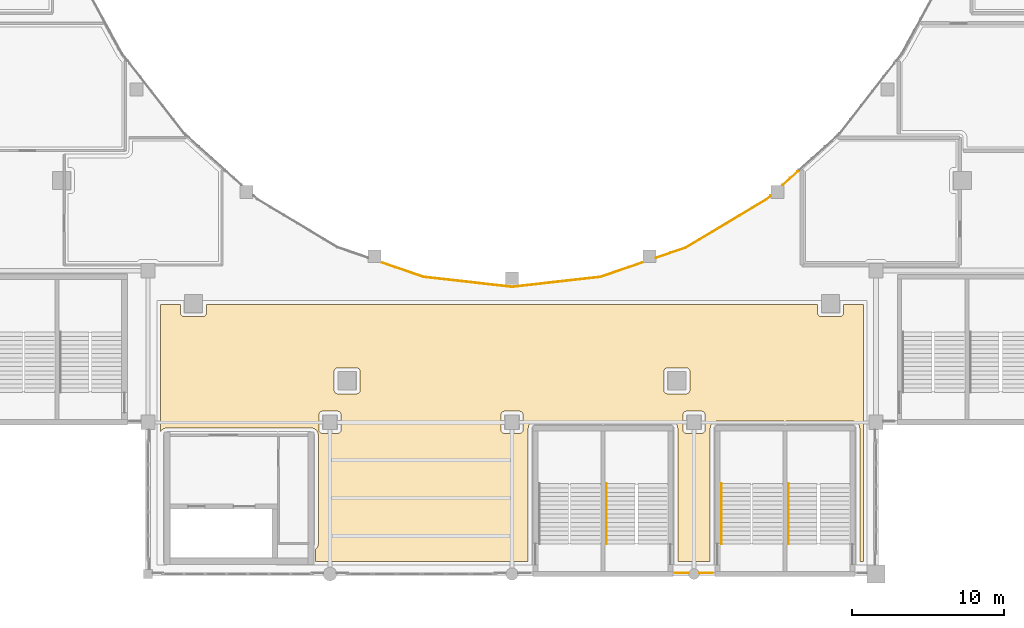
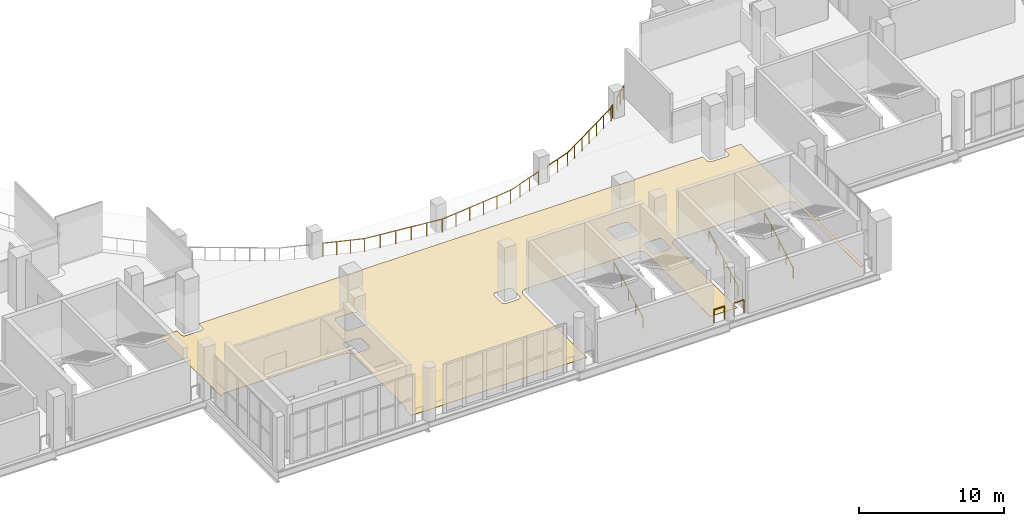
# One storey, part 80 of 90: 8 railings, 1 covering.
"""IFC4 building model written with IfcOpenShell, lengths in metres."""

from ifc_helpers import new_model, si_unit, direction, frame, origin, origin_2d, place, context, subcontext, project, spatial, polyline, circle, outline, extrude, material, layer, layer_set, type_object, element, save


model = new_model("IFC4")

# Units and contexts
model_context = context("Model", 3, precision=1e-05, world=origin(), true_north=direction((0.0, 1.0)))
body_context = subcontext(model_context, "Body", "Model", "MODEL_VIEW")
ifc_project = project(units=[si_unit("LENGTHUNIT", "METRE"), si_unit("AREAUNIT", "SQUARE_METRE"), si_unit("VOLUMEUNIT", "CUBIC_METRE"), si_unit("PLANEANGLEUNIT", "RADIAN"), si_unit("MASSUNIT", "GRAM", prefix="KILO")], contexts=[model_context])

# Site, building, storey
site_placement = place(None, origin())
site = spatial("IfcSite", under=ifc_project, at=site_placement, CompositionType="ELEMENT")
building_placement = place(site_placement, origin())
building = spatial("IfcBuilding", under=site, at=building_placement, Name="Brinegate Civic Arena", CompositionType="ELEMENT")
storey_placement = place(building_placement, frame((0.0, 0.0, 14.699951171875)))
storey = spatial("IfcBuildingStorey", under=building, at=storey_placement, Name="L03", CompositionType="ELEMENT", Elevation=14.699951171875)

# Covering
ifc_material_1 = material(Name="Polished coral terrazzo flooring")
ifc_layer = layer(ifc_material_1, 0.013916015625, Name="Polished coral terrazzo flooring")
ifc_layer_set = layer_set([ifc_layer], Name="Polished coral terrazzo flooring")
covering_type = type_object("IfcCoveringType", Name="FLOORING-ACOUSTIC-14", PredefinedType="FLOORING", material=ifc_layer_set)
covering_placement = place(storey_placement, origin())
element("IfcCovering", 1, at=covering_placement, inside=storey, type_object=covering_type, Name="Flooring L03-001", PredefinedType="FLOORING", context=body_context, shape_type="SweptSolid", body=[
    extrude(outline(polyline([(84.830078125, 17.77001953125), (86.139892578125, 17.77001953125), (86.139892578125, 17.222900390625), (86.14111328125, 17.197998046875), (86.14501953125, 17.174072265625), (86.15087890625, 17.14990234375), (86.158935546875, 17.126953125), (86.169921875, 17.10498046875), (86.181884765625, 17.083984375), (86.197021484375, 17.06396484375), (86.212890625, 17.0458984375), (86.23095703125, 17.030029296875), (86.2509765625, 17.014892578125), (86.27197265625, 17.0029296875), (86.2939453125, 16.991943359375), (86.31689453125, 16.98388671875), (86.341064453125, 16.97802734375), (86.364990234375, 16.97412109375), (86.389892578125, 16.972900390625), (87.610107421875, 16.972900390625), (87.635009765625, 16.97412109375), (87.658935546875, 16.97802734375), (87.68310546875, 16.98388671875), (87.7060546875, 16.991943359375), (87.72802734375, 17.0029296875), (87.7490234375, 17.014892578125), (87.76904296875, 17.030029296875), (87.787109375, 17.0458984375), (87.802978515625, 17.06396484375), (87.818115234375, 17.083984375), (87.830078125, 17.10498046875), (87.841064453125, 17.126953125), (87.84912109375, 17.14990234375), (87.85498046875, 17.174072265625), (87.85888671875, 17.197998046875), (87.860107421875, 17.222900390625), (87.860107421875, 17.77001953125), (128.139892578125, 17.77001953125), (128.139892578125, 17.222900390625), (128.14111328125, 17.197998046875), (128.14501953125, 17.174072265625), (128.15087890625, 17.14990234375), (128.158935546875, 17.126953125), (128.169921875, 17.10498046875), (128.181884765625, 17.083984375), (128.197021484375, 17.06396484375), (128.212890625, 17.0458984375), (128.23095703125, 17.030029296875), (128.2509765625, 17.014892578125), (128.27197265625, 17.0029296875), (128.2939453125, 16.991943359375), (128.31689453125, 16.98388671875), (128.341064453125, 16.97802734375), (128.364990234375, 16.97412109375), (128.389892578125, 16.972900390625), (129.610107421875, 16.972900390625), (129.635009765625, 16.97412109375), (129.658935546875, 16.97802734375), (129.68310546875, 16.98388671875), (129.7060546875, 16.991943359375), (129.72802734375, 17.0029296875), (129.7490234375, 17.014892578125), (129.76904296875, 17.030029296875), (129.787109375, 17.0458984375), (129.802978515625, 17.06396484375), (129.818115234375, 17.083984375), (129.830078125, 17.10498046875), (129.841064453125, 17.126953125), (129.84912109375, 17.14990234375), (129.85498046875, 17.174072265625), (129.85888671875, 17.197998046875), (129.860107421875, 17.222900390625), (129.860107421875, 17.77001953125), (131.169921875, 17.77001953125), (131.169921875, 0.830078125), (130.929931640625, 0.830078125), (130.929931640625, 9.59912109375), (130.928955078125, 9.6240234375), (130.924072265625, 9.669921875), (130.9208984375, 9.694091796875), (130.9150390625, 9.716064453125), (130.902099609375, 9.760009765625), (130.89404296875, 9.782958984375), (130.883056640625, 9.805908203125), (130.862060546875, 9.845947265625), (130.84912109375, 9.865966796875), (130.8349609375, 9.885986328125), (130.806884765625, 9.9208984375), (130.7900390625, 9.93994140625), (130.77099609375, 9.95703125), (130.736083984375, 9.985107421875), (130.716064453125, 9.9990234375), (130.696044921875, 10.011962890625), (130.656005859375, 10.032958984375), (130.633056640625, 10.0439453125), (130.610107421875, 10.052001953125), (130.56591796875, 10.06494140625), (130.5439453125, 10.071044921875), (130.52001953125, 10.073974609375), (130.47412109375, 10.0791015625), (130.448974609375, 10.080078125), (126.14599609375, 10.080078125), (126.12109375, 10.0791015625), (126.073974609375, 10.073974609375), (126.0390625, 10.068115234375), (126.01806640625, 10.06298828125), (126.0, 10.056884765625), (125.98193359375, 10.06298828125), (125.9609375, 10.068115234375), (125.926025390625, 10.073974609375), (125.87890625, 10.0791015625), (125.85400390625, 10.080078125), (121.551025390625, 10.080078125), (121.52587890625, 10.0791015625), (121.47998046875, 10.073974609375), (121.4560546875, 10.071044921875), (121.43408203125, 10.06494140625), (121.389892578125, 10.052001953125), (121.366943359375, 10.0439453125), (121.343994140625, 10.032958984375), (121.303955078125, 10.011962890625), (121.283935546875, 9.9990234375), (121.263916015625, 9.985107421875), (121.22900390625, 9.95703125), (121.2099609375, 9.93994140625), (121.193115234375, 9.9208984375), (121.1650390625, 9.885986328125), (121.15087890625, 9.865966796875), (121.137939453125, 9.845947265625), (121.116943359375, 9.805908203125), (121.10595703125, 9.782958984375), (121.097900390625, 9.760009765625), (121.0849609375, 9.716064453125), (121.0791015625, 9.694091796875), (121.075927734375, 9.669921875), (121.071044921875, 9.6240234375), (121.070068359375, 9.59912109375), (121.070068359375, 0.830078125), (118.929931640625, 0.830078125), (118.929931640625, 9.59912109375), (118.928955078125, 9.6240234375), (118.924072265625, 9.669921875), (118.9208984375, 9.694091796875), (118.9150390625, 9.716064453125), (118.902099609375, 9.760009765625), (118.89404296875, 9.782958984375), (118.883056640625, 9.805908203125), (118.862060546875, 9.845947265625), (118.85205078125, 9.863037109375), (118.841064453125, 9.8779296875), (118.827880859375, 9.89599609375), (118.804931640625, 9.923095703125), (118.77294921875, 9.9541015625), (118.75390625, 9.970947265625), (118.73388671875, 9.986083984375), (118.696044921875, 10.010986328125), (118.676025390625, 10.02294921875), (118.656005859375, 10.032958984375), (118.614013671875, 10.050048828125), (118.595947265625, 10.056884765625), (118.576904296875, 10.06298828125), (118.555908203125, 10.068115234375), (118.52099609375, 10.073974609375), (118.47412109375, 10.0791015625), (118.448974609375, 10.080078125), (114.14599609375, 10.080078125), (114.12109375, 10.0791015625), (114.073974609375, 10.073974609375), (114.0390625, 10.068115234375), (114.01806640625, 10.06298828125), (114.0, 10.056884765625), (113.98193359375, 10.06298828125), (113.9609375, 10.068115234375), (113.926025390625, 10.073974609375), (113.87890625, 10.0791015625), (113.85400390625, 10.080078125), (109.551025390625, 10.080078125), (109.52587890625, 10.0791015625), (109.47998046875, 10.073974609375), (109.4560546875, 10.071044921875), (109.43408203125, 10.06494140625), (109.389892578125, 10.052001953125), (109.366943359375, 10.0439453125), (109.343994140625, 10.032958984375), (109.303955078125, 10.011962890625), (109.283935546875, 9.9990234375), (109.263916015625, 9.985107421875), (109.22900390625, 9.95703125), (109.2099609375, 9.93994140625), (109.193115234375, 9.9208984375), (109.1650390625, 9.885986328125), (109.15087890625, 9.865966796875), (109.137939453125, 9.845947265625), (109.116943359375, 9.805908203125), (109.10595703125, 9.782958984375), (109.097900390625, 9.760009765625), (109.0849609375, 9.716064453125), (109.0791015625, 9.694091796875), (109.075927734375, 9.669921875), (109.071044921875, 9.6240234375), (109.070068359375, 9.59912109375), (109.070068359375, 0.830078125), (95.050048828125, 0.830078125), (95.050048828125, 1.6259765625), (95.053955078125, 1.62890625), (95.072998046875, 1.64599609375), (95.10498046875, 1.677001953125), (95.1279296875, 1.7041015625), (95.14111328125, 1.721923828125), (95.152099609375, 1.737060546875), (95.162109375, 1.75390625), (95.18310546875, 1.7939453125), (95.19189453125, 1.81201171875), (95.198974609375, 1.830078125), (95.2060546875, 1.85009765625), (95.214111328125, 1.881103515625), (95.22412109375, 1.926025390625), (95.22705078125, 1.947021484375), (95.22900390625, 1.967041015625), (95.22998046875, 1.989990234375), (95.22998046875, 2.0), (95.22998046875, 9.14892578125), (95.22900390625, 9.174072265625), (95.22412109375, 9.219970703125), (95.220947265625, 9.243896484375), (95.215087890625, 9.26611328125), (95.201904296875, 9.31005859375), (95.194091796875, 9.3330078125), (95.18310546875, 9.35595703125), (95.162109375, 9.39599609375), (95.152099609375, 9.4130859375), (95.14111328125, 9.427978515625), (95.1279296875, 9.446044921875), (95.10498046875, 9.472900390625), (95.072998046875, 9.50390625), (95.053955078125, 9.52099609375), (95.033935546875, 9.535888671875), (94.99609375, 9.56103515625), (94.97607421875, 9.572998046875), (94.9560546875, 9.5830078125), (94.9140625, 9.60009765625), (94.89599609375, 9.60693359375), (94.876953125, 9.613037109375), (94.85595703125, 9.617919921875), (94.821044921875, 9.6240234375), (94.77392578125, 9.62890625), (94.7490234375, 9.6298828125), (92.60107421875, 9.6298828125), (92.575927734375, 9.62890625), (92.550048828125, 9.6259765625), (92.52392578125, 9.62890625), (92.4990234375, 9.6298828125), (85.2509765625, 9.6298828125), (85.22607421875, 9.62890625), (85.178955078125, 9.6240234375), (85.14404296875, 9.617919921875), (85.123046875, 9.613037109375), (85.10400390625, 9.60693359375), (85.0859375, 9.60009765625), (85.0439453125, 9.5830078125), (85.02392578125, 9.572998046875), (85.00390625, 9.56103515625), (84.966064453125, 9.535888671875), (84.946044921875, 9.52099609375), (84.927001953125, 9.50390625), (84.89501953125, 9.472900390625), (84.8720703125, 9.446044921875), (84.85888671875, 9.427978515625), (84.847900390625, 9.4130859375), (84.837890625, 9.39599609375), (84.830078125, 9.3798828125), (84.830078125, 17.77001953125)]), holes=[polyline([(119.514892578125, 10.735107421875), (119.489990234375, 10.73388671875), (119.466064453125, 10.72998046875), (119.44189453125, 10.72412109375), (119.4189453125, 10.716064453125), (119.39697265625, 10.705078125), (119.3759765625, 10.693115234375), (119.35595703125, 10.677978515625), (119.337890625, 10.662109375), (119.322021484375, 10.64404296875), (119.306884765625, 10.6240234375), (119.294921875, 10.60302734375), (119.283935546875, 10.5810546875), (119.27587890625, 10.55810546875), (119.27001953125, 10.533935546875), (119.26611328125, 10.510009765625), (119.264892578125, 10.485107421875), (119.264892578125, 9.514892578125), (119.26611328125, 9.489990234375), (119.27001953125, 9.466064453125), (119.27587890625, 9.44189453125), (119.283935546875, 9.4189453125), (119.294921875, 9.39697265625), (119.306884765625, 9.3759765625), (119.322021484375, 9.35595703125), (119.337890625, 9.337890625), (119.35595703125, 9.322021484375), (119.3759765625, 9.306884765625), (119.39697265625, 9.294921875), (119.4189453125, 9.283935546875), (119.44189453125, 9.27587890625), (119.466064453125, 9.27001953125), (119.489990234375, 9.26611328125), (119.514892578125, 9.264892578125), (120.485107421875, 9.264892578125), (120.510009765625, 9.26611328125), (120.533935546875, 9.27001953125), (120.55810546875, 9.27587890625), (120.5810546875, 9.283935546875), (120.60302734375, 9.294921875), (120.6240234375, 9.306884765625), (120.64404296875, 9.322021484375), (120.662109375, 9.337890625), (120.677978515625, 9.35595703125), (120.693115234375, 9.3759765625), (120.705078125, 9.39697265625), (120.716064453125, 9.4189453125), (120.72412109375, 9.44189453125), (120.72998046875, 9.466064453125), (120.73388671875, 9.489990234375), (120.735107421875, 9.514892578125), (120.735107421875, 10.485107421875), (120.73388671875, 10.510009765625), (120.72998046875, 10.533935546875), (120.72412109375, 10.55810546875), (120.716064453125, 10.5810546875), (120.705078125, 10.60302734375), (120.693115234375, 10.6240234375), (120.677978515625, 10.64404296875), (120.662109375, 10.662109375), (120.64404296875, 10.677978515625), (120.6240234375, 10.693115234375), (120.60302734375, 10.705078125), (120.5810546875, 10.716064453125), (120.55810546875, 10.72412109375), (120.533935546875, 10.72998046875), (120.510009765625, 10.73388671875), (120.485107421875, 10.735107421875), (119.514892578125, 10.735107421875)]), polyline([(119.72998046875, 13.347900390625), (119.72900390625, 13.373046875), (119.72509765625, 13.39697265625), (119.718994140625, 13.4208984375), (119.7109375, 13.444091796875), (119.699951171875, 13.466064453125), (119.68798828125, 13.487060546875), (119.673095703125, 13.507080078125), (119.656982421875, 13.52490234375), (119.638916015625, 13.541015625), (119.618896484375, 13.555908203125), (119.597900390625, 13.568115234375), (119.575927734375, 13.5791015625), (119.552978515625, 13.5869140625), (119.529052734375, 13.593017578125), (119.5048828125, 13.596923828125), (119.47998046875, 13.597900390625), (118.260009765625, 13.597900390625), (118.235107421875, 13.596923828125), (118.2109375, 13.593017578125), (118.18701171875, 13.5869140625), (118.1640625, 13.5791015625), (118.14208984375, 13.568115234375), (118.12109375, 13.555908203125), (118.10107421875, 13.541015625), (118.0830078125, 13.52490234375), (118.06689453125, 13.507080078125), (118.052001953125, 13.487060546875), (118.0400390625, 13.466064453125), (118.029052734375, 13.444091796875), (118.02099609375, 13.4208984375), (118.014892578125, 13.39697265625), (118.010986328125, 13.373046875), (118.010009765625, 13.347900390625), (118.010009765625, 12.1279296875), (118.010986328125, 12.10302734375), (118.014892578125, 12.0791015625), (118.02099609375, 12.054931640625), (118.029052734375, 12.031982421875), (118.0400390625, 12.010009765625), (118.052001953125, 11.989013671875), (118.06689453125, 11.968994140625), (118.0830078125, 11.950927734375), (118.10107421875, 11.93505859375), (118.12109375, 11.919921875), (118.14208984375, 11.907958984375), (118.1640625, 11.89697265625), (118.18701171875, 11.888916015625), (118.2109375, 11.883056640625), (118.235107421875, 11.87890625), (118.260009765625, 11.8779296875), (119.47998046875, 11.8779296875), (119.5048828125, 11.87890625), (119.529052734375, 11.883056640625), (119.552978515625, 11.888916015625), (119.575927734375, 11.89697265625), (119.597900390625, 11.907958984375), (119.618896484375, 11.919921875), (119.638916015625, 11.93505859375), (119.656982421875, 11.950927734375), (119.673095703125, 11.968994140625), (119.68798828125, 11.989013671875), (119.699951171875, 12.010009765625), (119.7109375, 12.031982421875), (119.718994140625, 12.054931640625), (119.72509765625, 12.0791015625), (119.72900390625, 12.10302734375), (119.72998046875, 12.1279296875), (119.72998046875, 13.347900390625)]), polyline([(107.514892578125, 10.735107421875), (107.489990234375, 10.73388671875), (107.466064453125, 10.72998046875), (107.44189453125, 10.72412109375), (107.4189453125, 10.716064453125), (107.39697265625, 10.705078125), (107.3759765625, 10.693115234375), (107.35595703125, 10.677978515625), (107.337890625, 10.662109375), (107.322021484375, 10.64404296875), (107.306884765625, 10.6240234375), (107.294921875, 10.60302734375), (107.283935546875, 10.5810546875), (107.27587890625, 10.55810546875), (107.27001953125, 10.533935546875), (107.26611328125, 10.510009765625), (107.264892578125, 10.485107421875), (107.264892578125, 9.514892578125), (107.26611328125, 9.489990234375), (107.27001953125, 9.466064453125), (107.27587890625, 9.44189453125), (107.283935546875, 9.4189453125), (107.294921875, 9.39697265625), (107.306884765625, 9.3759765625), (107.322021484375, 9.35595703125), (107.337890625, 9.337890625), (107.35595703125, 9.322021484375), (107.3759765625, 9.306884765625), (107.39697265625, 9.294921875), (107.4189453125, 9.283935546875), (107.44189453125, 9.27587890625), (107.466064453125, 9.27001953125), (107.489990234375, 9.26611328125), (107.514892578125, 9.264892578125), (108.485107421875, 9.264892578125), (108.510009765625, 9.26611328125), (108.533935546875, 9.27001953125), (108.55810546875, 9.27587890625), (108.5810546875, 9.283935546875), (108.60302734375, 9.294921875), (108.6240234375, 9.306884765625), (108.64404296875, 9.322021484375), (108.662109375, 9.337890625), (108.677978515625, 9.35595703125), (108.693115234375, 9.3759765625), (108.705078125, 9.39697265625), (108.716064453125, 9.4189453125), (108.72412109375, 9.44189453125), (108.72998046875, 9.466064453125), (108.73388671875, 9.489990234375), (108.735107421875, 9.514892578125), (108.735107421875, 10.485107421875), (108.73388671875, 10.510009765625), (108.72998046875, 10.533935546875), (108.72412109375, 10.55810546875), (108.716064453125, 10.5810546875), (108.705078125, 10.60302734375), (108.693115234375, 10.6240234375), (108.677978515625, 10.64404296875), (108.662109375, 10.662109375), (108.64404296875, 10.677978515625), (108.6240234375, 10.693115234375), (108.60302734375, 10.705078125), (108.5810546875, 10.716064453125), (108.55810546875, 10.72412109375), (108.533935546875, 10.72998046875), (108.510009765625, 10.73388671875), (108.485107421875, 10.735107421875), (107.514892578125, 10.735107421875)]), polyline([(97.989990234375, 13.347900390625), (97.989013671875, 13.373046875), (97.985107421875, 13.39697265625), (97.97900390625, 13.4208984375), (97.970947265625, 13.444091796875), (97.9599609375, 13.466064453125), (97.947998046875, 13.487060546875), (97.93310546875, 13.507080078125), (97.9169921875, 13.52490234375), (97.89892578125, 13.541015625), (97.87890625, 13.555908203125), (97.85791015625, 13.568115234375), (97.8359375, 13.5791015625), (97.81298828125, 13.5869140625), (97.7890625, 13.593017578125), (97.764892578125, 13.596923828125), (97.739990234375, 13.597900390625), (96.52001953125, 13.597900390625), (96.4951171875, 13.596923828125), (96.470947265625, 13.593017578125), (96.447021484375, 13.5869140625), (96.424072265625, 13.5791015625), (96.402099609375, 13.568115234375), (96.381103515625, 13.555908203125), (96.361083984375, 13.541015625), (96.343017578125, 13.52490234375), (96.326904296875, 13.507080078125), (96.31201171875, 13.487060546875), (96.300048828125, 13.466064453125), (96.2890625, 13.444091796875), (96.281005859375, 13.4208984375), (96.27490234375, 13.39697265625), (96.27099609375, 13.373046875), (96.27001953125, 13.347900390625), (96.27001953125, 12.1279296875), (96.27099609375, 12.10302734375), (96.27490234375, 12.0791015625), (96.281005859375, 12.054931640625), (96.2890625, 12.031982421875), (96.300048828125, 12.010009765625), (96.31201171875, 11.989013671875), (96.326904296875, 11.968994140625), (96.343017578125, 11.950927734375), (96.361083984375, 11.93505859375), (96.381103515625, 11.919921875), (96.402099609375, 11.907958984375), (96.424072265625, 11.89697265625), (96.447021484375, 11.888916015625), (96.470947265625, 11.883056640625), (96.4951171875, 11.87890625), (96.52001953125, 11.8779296875), (97.739990234375, 11.8779296875), (97.764892578125, 11.87890625), (97.7890625, 11.883056640625), (97.81298828125, 11.888916015625), (97.8359375, 11.89697265625), (97.85791015625, 11.907958984375), (97.87890625, 11.919921875), (97.89892578125, 11.93505859375), (97.9169921875, 11.950927734375), (97.93310546875, 11.968994140625), (97.947998046875, 11.989013671875), (97.9599609375, 12.010009765625), (97.970947265625, 12.031982421875), (97.97900390625, 12.054931640625), (97.985107421875, 12.0791015625), (97.989013671875, 12.10302734375), (97.989990234375, 12.1279296875), (97.989990234375, 13.347900390625)]), polyline([(95.514892578125, 10.735107421875), (95.489990234375, 10.73388671875), (95.466064453125, 10.72998046875), (95.44189453125, 10.72412109375), (95.4189453125, 10.716064453125), (95.39697265625, 10.705078125), (95.3759765625, 10.693115234375), (95.35595703125, 10.677978515625), (95.337890625, 10.662109375), (95.322021484375, 10.64404296875), (95.306884765625, 10.6240234375), (95.294921875, 10.60302734375), (95.283935546875, 10.5810546875), (95.27587890625, 10.55810546875), (95.27001953125, 10.533935546875), (95.26611328125, 10.510009765625), (95.264892578125, 10.485107421875), (95.264892578125, 9.514892578125), (95.26611328125, 9.489990234375), (95.27001953125, 9.466064453125), (95.27587890625, 9.44189453125), (95.283935546875, 9.4189453125), (95.294921875, 9.39697265625), (95.306884765625, 9.3759765625), (95.322021484375, 9.35595703125), (95.337890625, 9.337890625), (95.35595703125, 9.322021484375), (95.3759765625, 9.306884765625), (95.39697265625, 9.294921875), (95.4189453125, 9.283935546875), (95.44189453125, 9.27587890625), (95.466064453125, 9.27001953125), (95.489990234375, 9.26611328125), (95.514892578125, 9.264892578125), (96.485107421875, 9.264892578125), (96.510009765625, 9.26611328125), (96.533935546875, 9.27001953125), (96.55810546875, 9.27587890625), (96.5810546875, 9.283935546875), (96.60302734375, 9.294921875), (96.6240234375, 9.306884765625), (96.64404296875, 9.322021484375), (96.662109375, 9.337890625), (96.677978515625, 9.35595703125), (96.693115234375, 9.3759765625), (96.705078125, 9.39697265625), (96.716064453125, 9.4189453125), (96.72412109375, 9.44189453125), (96.72998046875, 9.466064453125), (96.73388671875, 9.489990234375), (96.735107421875, 9.514892578125), (96.735107421875, 10.485107421875), (96.73388671875, 10.510009765625), (96.72998046875, 10.533935546875), (96.72412109375, 10.55810546875), (96.716064453125, 10.5810546875), (96.705078125, 10.60302734375), (96.693115234375, 10.6240234375), (96.677978515625, 10.64404296875), (96.662109375, 10.662109375), (96.64404296875, 10.677978515625), (96.6240234375, 10.693115234375), (96.60302734375, 10.705078125), (96.5810546875, 10.716064453125), (96.55810546875, 10.72412109375), (96.533935546875, 10.72998046875), (96.510009765625, 10.73388671875), (96.485107421875, 10.735107421875), (95.514892578125, 10.735107421875)])]), origin(), (0.0, 0.0, 1.0), 0.01416015625),
])

# Railings
ifc_material_2 = material(Name="Architectural stainless steel balustrade", Category="steel")
railing_type_1 = type_object("IfcRailingType", Name="RAIL-STAIR-HANDRAIL-900", PredefinedType="HANDRAIL", material=ifc_material_2)
for number, where, name in (
    (2, (121.804931640625, 1.969970703125, 0.0), "Stair Pitch Handrail ST-04A L03"),
    (3, (126.22509765625, 1.969970703125, 0.0), "Stair Pitch Handrail ST-04B L03"),
    (4, (114.22509765625, 1.969970703125, 0.0), "Stair Pitch Handrail ST-16B L03"),
):
    element("IfcRailing", number, at=place(storey_placement, frame(where)), inside=storey, type_object=railing_type_1, Name=name, PredefinedType="HANDRAIL", context=body_context, shape_type="SweptSolid", body=[
        extrude(circle(Radius=0.02392578125, at=origin_2d()), frame((0.0, 0.001220703125, 0.876708984375), z_axis=(0.0, 0.871049806155, 0.491194701923), x_axis=(-1.0, 0.0, 0.0)), (0.0, 0.0, 1.0), 4.57763671875),
        extrude(circle(Radius=0.02099609375, at=origin_2d()), origin(), (0.0, 0.0, 1.0), 0.849853515625),
        extrude(circle(Radius=0.02099609375, at=origin_2d()), frame((0.0, 0.99755859375, 0.5625)), (0.0, 0.0, 1.0), 0.849853515625),
        extrude(circle(Radius=0.02099609375, at=origin_2d()), frame((0.0, 1.9951171875, 1.125)), (0.0, 0.0, 1.0), 0.849853515625),
        extrude(circle(Radius=0.02099609375, at=origin_2d()), frame((0.0, 2.992431640625, 1.6875)), (0.0, 0.0, 1.0), 0.849853515625),
        extrude(circle(Radius=0.02099609375, at=origin_2d()), frame((0.0, 3.989990234375, 2.25)), (0.0, 0.0, 1.0), 0.849853515625),
    ])
railing_type_2 = type_object("IfcRailingType", Name="RAIL-VOID-BALUSTRADE-1120", PredefinedType="BALUSTRADE", material=ifc_material_2)
for number, where, name in (
    (5, (121.199951171875, 0.070068359375, 0.0), "Deck Edge Balustrade L03-282"),
    (6, (119.6298828125, 0.070068359375, 0.0), "Deck Edge Balustrade L03-283"),
):
    element("IfcRailing", number, at=place(storey_placement, frame(where)), inside=storey, type_object=railing_type_2, Name=name, PredefinedType="BALUSTRADE", context=body_context, shape_type="SweptSolid", body=[
        extrude(circle(Radius=0.02392578125, at=origin_2d()), frame((-0.00146484375, 0.0, 1.09619140625), z_axis=(-1.0, 0.0, 0.0), x_axis=(0.0, -1.0, 0.0)), (0.0, 0.0, 1.0), 0.826904296875),
        extrude(circle(Radius=0.02099609375, at=origin_2d()), origin(), (0.0, 0.0, 1.0), 1.070068359375),
        extrude(circle(Radius=0.02099609375, at=origin_2d()), frame((-0.829833984375, 0.0, 0.0)), (0.0, 0.0, 1.0), 1.070068359375),
    ])
railing_1_placement = place(storey_placement, frame((99.385986328125, 20.541015625, 0.0)))
element("IfcRailing", 7, at=railing_1_placement, inside=storey, type_object=railing_type_2, Name="Deck Edge Balustrade L03-323", PredefinedType="BALUSTRADE", context=body_context, shape_type="SweptSolid", body=[
    extrude(circle(Radius=0.02392578125, at=origin_2d()), frame((0.00146484375, -0.00048828125, 1.09619140625), z_axis=(0.945627416009, -0.325251887147, 0.0), x_axis=(0.325251887147, 0.945627416009, 0.0)), (0.0, 0.0, 1.0), 2.930419921875),
    extrude(circle(Radius=0.02392578125, at=origin_2d()), frame((2.775390625, -0.95458984375, 1.09619140625), z_axis=(0.968277323709, -0.249878019022, 0.0), x_axis=(0.249878019022, 0.968277323709, 0.0)), (0.0, 0.0, 1.0), 0.0126953125),
    extrude(circle(Radius=0.02392578125, at=origin_2d()), frame((2.79052734375, -0.958251953125, 1.09619140625), z_axis=(0.993756428361, -0.111571327368, 0.0), x_axis=(0.111571327368, 0.993756428361, 0.0)), (0.0, 0.0, 1.0), 5.850341796875),
    extrude(circle(Radius=0.02392578125, at=origin_2d()), frame((8.607421875, -1.611083984375, 1.09619140625), z_axis=(1.0, 0.0, 0.0), x_axis=(0.0, 1.0, 0.0)), (0.0, 0.0, 1.0), 0.01318359375),
    extrude(circle(Radius=0.02392578125, at=origin_2d()), frame((8.62353515625, -1.61083984375, 1.09619140625), z_axis=(0.993756428361, 0.111571327368, 0.0), x_axis=(-0.111571327368, 0.993756428361, 0.0)), (0.0, 0.0, 1.0), 5.850341796875),
    extrude(circle(Radius=0.02392578125, at=origin_2d()), frame((14.4404296875, -0.95751953125, 1.09619140625), z_axis=(0.968277323709, 0.249878019022, 0.0), x_axis=(-0.249878019022, 0.968277323709, 0.0)), (0.0, 0.0, 1.0), 0.0126953125),
    extrude(circle(Radius=0.02392578125, at=origin_2d()), frame((14.45556640625, -0.95361328125, 1.09619140625), z_axis=(0.945627416009, 0.325251887147, 0.0), x_axis=(-0.325251887147, 0.945627416009, 0.0)), (0.0, 0.0, 1.0), 2.930419921875),
    extrude(circle(Radius=0.02099609375, at=origin_2d()), origin(), (0.0, 0.0, 1.0), 1.070068359375),
    extrude(circle(Radius=0.02099609375, at=origin_2d()), frame((0.924560546875, -0.318115234375, 0.0)), (0.0, 0.0, 1.0), 1.070068359375),
    extrude(circle(Radius=0.02099609375, at=origin_2d()), frame((1.849365234375, -0.635986328125, 0.0)), (0.0, 0.0, 1.0), 1.070068359375),
    extrude(circle(Radius=0.02099609375, at=origin_2d()), frame((2.77392578125, -0.9541015625, 0.0)), (0.0, 0.0, 1.0), 1.070068359375),
    extrude(circle(Radius=0.02099609375, at=origin_2d()), frame((3.952392578125, -1.088623046875, 0.0)), (0.0, 0.0, 1.0), 1.070068359375),
    extrude(circle(Radius=0.02099609375, at=origin_2d()), frame((5.11572265625, -1.21923828125, 0.0)), (0.0, 0.0, 1.0), 1.070068359375),
    extrude(circle(Radius=0.02099609375, at=origin_2d()), frame((6.279296875, -1.349853515625, 0.0)), (0.0, 0.0, 1.0), 1.070068359375),
    extrude(circle(Radius=0.02099609375, at=origin_2d()), frame((7.442626953125, -1.48046875, 0.0)), (0.0, 0.0, 1.0), 1.070068359375),
    extrude(circle(Radius=0.02099609375, at=origin_2d()), frame((8.60595703125, -1.611083984375, 0.0)), (0.0, 0.0, 1.0), 1.070068359375),
    extrude(circle(Radius=0.02099609375, at=origin_2d()), frame((9.785400390625, -1.48046875, 0.0)), (0.0, 0.0, 1.0), 1.070068359375),
    extrude(circle(Radius=0.02099609375, at=origin_2d()), frame((10.94873046875, -1.349853515625, 0.0)), (0.0, 0.0, 1.0), 1.070068359375),
    extrude(circle(Radius=0.02099609375, at=origin_2d()), frame((12.1123046875, -1.21923828125, 0.0)), (0.0, 0.0, 1.0), 1.070068359375),
    extrude(circle(Radius=0.02099609375, at=origin_2d()), frame((13.275634765625, -1.088623046875, 0.0)), (0.0, 0.0, 1.0), 1.070068359375),
    extrude(circle(Radius=0.02099609375, at=origin_2d()), frame((14.43896484375, -0.9580078125, 0.0)), (0.0, 0.0, 1.0), 1.070068359375),
    extrude(circle(Radius=0.02099609375, at=origin_2d()), frame((15.378662109375, -0.635986328125, 0.0)), (0.0, 0.0, 1.0), 1.070068359375),
    extrude(circle(Radius=0.02099609375, at=origin_2d()), frame((16.303466796875, -0.318115234375, 0.0)), (0.0, 0.0, 1.0), 1.070068359375),
    extrude(circle(Radius=0.02099609375, at=origin_2d()), frame((17.22802734375, 0.0, 0.0)), (0.0, 0.0, 1.0), 1.070068359375),
])
railing_2_placement = place(storey_placement, frame((117.50390625, 20.846923828125, 0.0)))
element("IfcRailing", 8, at=railing_2_placement, inside=storey, type_object=railing_type_2, Name="Deck Edge Balustrade L03-324", PredefinedType="BALUSTRADE", context=body_context, shape_type="SweptSolid", body=[
    extrude(circle(Radius=0.02392578125, at=origin_2d()), frame((0.00146484375, 0.00048828125, 1.09619140625), z_axis=(0.94560355468, 0.325321252573, 0.0), x_axis=(-0.325321252573, 0.94560355468, 0.0)), (0.0, 0.0, 1.0), 2.087890625),
    extrude(circle(Radius=0.02392578125, at=origin_2d()), frame((1.978271484375, 0.680908203125, 1.09619140625), z_axis=(0.8581438728, 0.513409284661, 0.0), x_axis=(-0.513409284661, 0.8581438728, 0.0)), (0.0, 0.0, 1.0), 6.178955078125),
    extrude(circle(Radius=0.02392578125, at=origin_2d()), frame((7.283203125, 3.85498046875, 1.09619140625), z_axis=(0.746249975306, 0.665665812819, 0.0), x_axis=(-0.665665812819, 0.746249975306, 0.0)), (0.0, 0.0, 1.0), 0.357421875),
    extrude(circle(Radius=0.02099609375, at=origin_2d()), origin(), (0.0, 0.0, 1.0), 1.070068359375),
    extrude(circle(Radius=0.02099609375, at=origin_2d()), frame((0.988525390625, 0.340087890625, 0.0)), (0.0, 0.0, 1.0), 1.070068359375),
    extrude(circle(Radius=0.02099609375, at=origin_2d()), frame((1.97705078125, 0.68017578125, 0.0)), (0.0, 0.0, 1.0), 1.070068359375),
    extrude(circle(Radius=0.02099609375, at=origin_2d()), frame((2.861328125, 1.209228515625, 0.0)), (0.0, 0.0, 1.0), 1.070068359375),
    extrude(circle(Radius=0.02099609375, at=origin_2d()), frame((3.745361328125, 1.738037109375, 0.0)), (0.0, 0.0, 1.0), 1.070068359375),
    extrude(circle(Radius=0.02099609375, at=origin_2d()), frame((4.62939453125, 2.26708984375, 0.0)), (0.0, 0.0, 1.0), 1.070068359375),
    extrude(circle(Radius=0.02099609375, at=origin_2d()), frame((5.513671875, 2.796142578125, 0.0)), (0.0, 0.0, 1.0), 1.070068359375),
    extrude(circle(Radius=0.02099609375, at=origin_2d()), frame((6.39794921875, 3.324951171875, 0.0)), (0.0, 0.0, 1.0), 1.070068359375),
    extrude(circle(Radius=0.02099609375, at=origin_2d()), frame((7.281982421875, 3.85400390625, 0.0)), (0.0, 0.0, 1.0), 1.070068359375),
    extrude(circle(Radius=0.02099609375, at=origin_2d()), frame((7.551025390625, 4.093994140625, 0.0)), (0.0, 0.0, 1.0), 1.070068359375),
])
railing_3_placement = place(storey_placement, frame((125.83203125, 25.638916015625, 0.0)))
element("IfcRailing", 9, at=railing_3_placement, inside=storey, type_object=railing_type_2, Name="Deck Edge Balustrade L03-325", PredefinedType="BALUSTRADE", context=body_context, shape_type="SweptSolid", body=[
    extrude(circle(Radius=0.02392578125, at=origin_2d()), frame((0.001220703125, 0.0009765625, 1.09619140625), z_axis=(0.7437870628, 0.668416640436, 0.0), x_axis=(-0.668416640436, 0.7437870628, 0.0)), (0.0, 0.0, 1.0), 1.35107421875),
    extrude(circle(Radius=0.02099609375, at=origin_2d()), origin(), (0.0, 0.0, 1.0), 1.070068359375),
    extrude(circle(Radius=0.02099609375, at=origin_2d()), frame((0.50341796875, 0.45263671875, 0.0)), (0.0, 0.0, 1.0), 1.070068359375),
    extrude(circle(Radius=0.02099609375, at=origin_2d()), frame((1.007080078125, 0.905029296875, 0.0)), (0.0, 0.0, 1.0), 1.070068359375),
])

save(model, "model.ifc")
